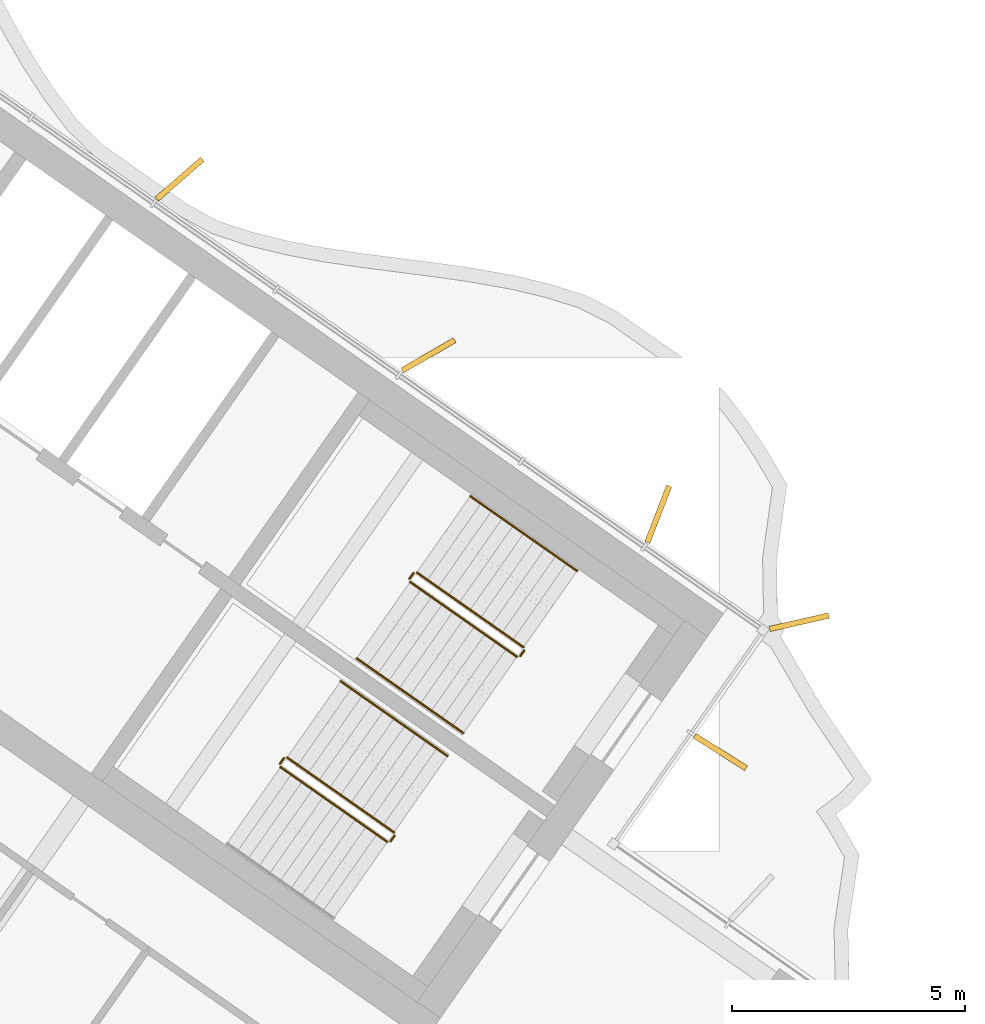
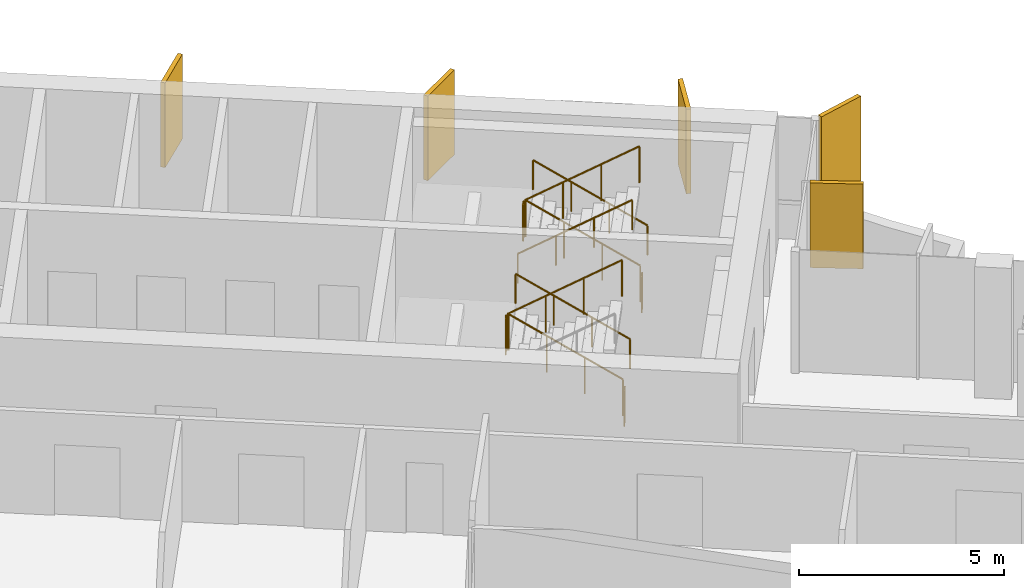
# One storey, part 17 of 18: 11 railings, 5 shading devices.
"""IFC4 building model written with IfcOpenShell, lengths in metres."""

import ifcopenshell
import ifcopenshell.guid

model = None  # the IFC model being written
_history = None  # IfcOwnerHistory: only IFC2X3 demands one
_inside = {}  # id of a spatial element -> (the spatial element, [elements in it])
_under = {}  # id of a project, library or spatial element -> (it, [spatial elements below it])
_declared = {}  # id of a project -> (the project, [libraries it declares])
_typed = {}  # id of a type object -> (the type object, [elements of that type])
_made_of = {}  # id of a material, layer set ... -> (it, [elements and type objects made of it])


def new_model(schema):
    """Start an empty IFC model of exactly this schema.

    Asked for "IFC4X3", IfcOpenShell would pick the latest addendum, in which some entities
    have other attributes; the version numbers below select the first issue.
    IFC2X3 requires an IfcOwnerHistory on every rooted entity: one is made here for all.
    """
    global model, _history
    if schema == "IFC4X3":
        model = ifcopenshell.file(schema_version=(4, 3, 0, 0))
    else:
        model = ifcopenshell.file(schema=schema)
    _inside.clear()
    _under.clear()
    _declared.clear()
    _typed.clear()
    _made_of.clear()
    _history = None
    if model.schema == "IFC2X3":
        org = make("IfcOrganization", Name="unknown")
        user = make(
            "IfcPersonAndOrganization",
            ThePerson=make("IfcPerson", FamilyName="unknown"),
            TheOrganization=org,
        )
        app = make(
            "IfcApplication",
            ApplicationDeveloper=org,
            Version="unknown",
            ApplicationFullName="unknown",
            ApplicationIdentifier="unknown",
        )
        _history = make(
            "IfcOwnerHistory",
            OwningUser=user,
            OwningApplication=app,
            ChangeAction="ADDED",
            CreationDate=0,
        )
    return model


def make(cls, **values):
    """One entity of the class cls with the attributes given. An attribute that is None is left unset."""
    return model.create_entity(
        cls, **{name: value for name, value in values.items() if value is not None}
    )


def rooted(cls, **values):
    """An entity with a GlobalId (a new one), such as an element, a storey or a relation."""
    return make(cls, GlobalId=ifcopenshell.guid.new(), OwnerHistory=_history, **values)


def si_unit(unit_type, name, prefix=None):
    """IfcSIUnit, for example si_unit("LENGTHUNIT", "METRE", prefix="MILLI")."""
    return make("IfcSIUnit", UnitType=unit_type, Prefix=prefix, Name=name)


def assignment(units):
    """IfcUnitAssignment: the units of a project."""
    return None if units is None else make("IfcUnitAssignment", Units=units)


def point(xyz):
    """IfcCartesianPoint."""
    return None if xyz is None else make("IfcCartesianPoint", Coordinates=xyz)


def direction(xyz):
    """IfcDirection."""
    return None if xyz is None else make("IfcDirection", DirectionRatios=xyz)


def frame(location, z_axis=None, x_axis=None):
    """IfcAxis2Placement3D, a coordinate frame: its origin and axes. An axis left out is left unset."""
    return make(
        "IfcAxis2Placement3D",
        Location=point(location),
        Axis=direction(z_axis),
        RefDirection=direction(x_axis),
    )


def frame_2d(location, x_axis=None):
    """IfcAxis2Placement2D, a coordinate frame in the plane: its origin and x axis."""
    return make(
        "IfcAxis2Placement2D", Location=point(location), RefDirection=direction(x_axis)
    )


def origin():
    """The frame at (0, 0, 0) with its axes left unset."""
    return frame((0.0, 0.0, 0.0))


def origin_2d():
    """The frame at (0, 0) in the plane with its x axis left unset."""
    return frame_2d((0.0, 0.0))


def place(relative_to, where):
    """IfcLocalPlacement: puts the frame where relative to a parent placement (None: the world)."""
    return make(
        "IfcLocalPlacement", PlacementRelTo=relative_to, RelativePlacement=where
    )


def context(
    kind, dimensions, precision=None, world=None, true_north=None, identifier=None
):
    """IfcGeometricRepresentationContext, for example the 3D "Model" context."""
    return make(
        "IfcGeometricRepresentationContext",
        ContextIdentifier=identifier,
        ContextType=kind,
        CoordinateSpaceDimension=dimensions,
        Precision=precision,
        WorldCoordinateSystem=world,
        TrueNorth=true_north,
    )


def subcontext(parent, identifier, kind, view, scale=None):
    """IfcGeometricRepresentationSubContext, for example "Body" below "Model"."""
    return make(
        "IfcGeometricRepresentationSubContext",
        ContextIdentifier=identifier,
        ContextType=kind,
        ParentContext=parent,
        TargetScale=scale,
        TargetView=view,
    )


def project(units=None, contexts=None):
    """IfcProject with its units and contexts."""
    return rooted(
        "IfcProject",
        Name="project",
        RepresentationContexts=contexts,
        UnitsInContext=assignment(units),
    )


def spatial(cls, under=None, at=None, **own):
    """A site, building, storey or space (cls), placed at a placement, below another one or the project."""
    s = rooted(cls, ObjectPlacement=at, **own)
    if under is not None:
        _under.setdefault(under.id(), (under, []))[1].append(s)
    return s


def profile(cls, at=None, kind="AREA", **sizes):
    """A parametric profile (cls). Its sizes go by their IFC names, for example OverallWidth=200.0."""
    return make(cls, ProfileType=kind, Position=at, **sizes)


def rectangle(**sizes):
    """IfcRectangleProfileDef."""
    return profile("IfcRectangleProfileDef", **sizes)


def circle(**sizes):
    """IfcCircleProfileDef."""
    return profile("IfcCircleProfileDef", **sizes)


def extrude(swept, where, along, depth):
    """IfcExtrudedAreaSolid: the profile swept, set in the frame where, extruded along a direction by depth."""
    return make(
        "IfcExtrudedAreaSolid",
        SweptArea=swept,
        Position=where,
        ExtrudedDirection=direction(along),
        Depth=depth,
    )


def shape(context_of_items, identifier, shape_type, items):
    """IfcShapeRepresentation: the items that make up one representation, for example the "Body"."""
    return make(
        "IfcShapeRepresentation",
        ContextOfItems=context_of_items,
        RepresentationIdentifier=identifier,
        RepresentationType=shape_type,
        Items=items,
    )


def material(Name=None, Category=None):
    """IfcMaterial."""
    return make("IfcMaterial", Name=Name, Category=Category)


def layer(
    of_material, thickness, ventilated=None, Name=None, Category=None, Priority=None
):
    """IfcMaterialLayer: one layer of a wall or slab, of a material (None: an air gap)."""
    return make(
        "IfcMaterialLayer",
        Material=of_material,
        LayerThickness=thickness,
        IsVentilated=ventilated,
        Name=Name,
        Category=Category,
        Priority=Priority,
    )


def layer_set(layers, Name=None):
    """IfcMaterialLayerSet."""
    return make("IfcMaterialLayerSet", MaterialLayers=layers, LayerSetName=Name)


def made_of(thing, what):
    """Note that an element or type object is made of a material, layer set ...; save() writes the relation."""
    if what is not None:
        _made_of.setdefault(what.id(), (what, []))[1].append(thing)
    return thing


def type_object(cls, material=None, **own):
    """A type object (cls), such as IfcWallType, which elements share."""
    return made_of(rooted(cls, **own), material)


def element(
    cls,
    number,
    at=None,
    inside=None,
    cuts=None,
    type_object=None,
    material=None,
    context=None,
    identifier="Body",
    shape_type=None,
    held_by="IfcProductDefinitionShape",
    body=None,
    shapes=None,
    **own,
):
    """One element of the class cls, such as IfcWall. Its Tag is "e" and its number.

    at: its placement. inside: the storey or other place that contains it. cuts: it is an
    opening in that element (IfcRelVoidsElement). A single representation is given by context,
    identifier, shape_type and body (its items); several are given by shapes. held_by: the class
    of the entity that holds the representations. save() writes the other relations.
    """
    e = rooted(cls, Tag="e%d" % number, ObjectPlacement=at, **own)
    if body is not None:
        shapes = [shape(context, identifier, shape_type, body)]
    if shapes is not None:
        e.Representation = make(held_by, Representations=shapes)
    if inside is not None:
        _inside.setdefault(inside.id(), (inside, []))[1].append(e)
    if cuts is not None:
        rooted(
            "IfcRelVoidsElement", RelatingBuildingElement=cuts, RelatedOpeningElement=e
        )
    if type_object is not None:
        _typed.setdefault(type_object.id(), (type_object, []))[1].append(e)
    return made_of(e, material)


def aggregate(whole, parts):
    """IfcRelAggregates: a whole, such as a stair, and the parts it consists of."""
    return rooted("IfcRelAggregates", RelatingObject=whole, RelatedObjects=parts)


def save(model, path):
    """Write the relations noted so far, then the file.

    IfcRelAggregates (storeys below a building ...), IfcRelContainedInSpatialStructure (elements
    in a storey), IfcRelDefinesByType, IfcRelAssociatesMaterial and IfcRelDeclares: one each for
    every whole, place, type object, material and project.
    """
    for whole, parts in _under.values():
        aggregate(whole, parts)
    for where, things in _inside.values():
        rooted(
            "IfcRelContainedInSpatialStructure",
            RelatedElements=things,
            RelatingStructure=where,
        )
    for kind, things in _typed.values():
        rooted("IfcRelDefinesByType", RelatedObjects=things, RelatingType=kind)
    for what, things in _made_of.values():
        rooted("IfcRelAssociatesMaterial", RelatedObjects=things, RelatingMaterial=what)
    for by, libraries in _declared.values():
        rooted("IfcRelDeclares", RelatingContext=by, RelatedDefinitions=libraries)
    model.write(path)


model = new_model("IFC4")

# Units and contexts
model_context = context("Model", 3, precision=1e-05, world=origin(), true_north=direction((0.0, 1.0)))
body_context = subcontext(model_context, "Body", "Model", "MODEL_VIEW")
ifc_project = project(units=[si_unit("LENGTHUNIT", "METRE"), si_unit("AREAUNIT", "SQUARE_METRE"), si_unit("VOLUMEUNIT", "CUBIC_METRE"), si_unit("PLANEANGLEUNIT", "RADIAN"), si_unit("MASSUNIT", "GRAM", prefix="KILO")], contexts=[model_context])

# Site, building, storey
site_placement = place(None, origin())
site = spatial("IfcSite", under=ifc_project, at=site_placement, CompositionType="ELEMENT")
building_placement = place(site_placement, origin())
building = spatial("IfcBuilding", under=site, at=building_placement, Name="Tel Ilan Convention Tower", CompositionType="ELEMENT")
storey_placement = place(building_placement, frame((0.0, 0.0, 264.39990234375)))
storey = spatial("IfcBuildingStorey", under=building, at=storey_placement, Name="L62", CompositionType="ELEMENT", Elevation=264.39990234375)

# Shading devices
ifc_material_1 = material(Name="Aluminium, bronze anodised", Category="aluminium")
ifc_layer = layer(ifc_material_1, 0.1201171875)
ifc_layer_set = layer_set([ifc_layer], Name="FIN BRONZE 1300x120")
shading_device_type = type_object("IfcShadingDeviceType", Name="FIN BRONZE 1300x120", PredefinedType="USERDEFINED", material=ifc_layer_set)
for number, where, z_axis, x_axis, name in (
    (1, (27.904541015625, -10.1005859375, 1.10009765625), (0.0, 0.0, 1.0), (0.845986425922, -0.533204432798, 0.0), "FIN"),
    (2, (29.594970703125, -7.31494140625, 1.10009765625), (0.0, 0.0, 1.0), (0.975235208752, 0.221170268371, 0.0), "FIN"),
    (3, (26.568359375, -4.997802734375, 1.10009765625), (0.0, 0.0, 1.0), (0.360177724803, 0.932883704733, 0.0), "FIN"),
    (4, (21.63818359375, -1.58349609375, 1.10009765625), (0.0, 0.0, 1.0), (0.866025403784, 0.5, 0.0), "FIN"),
    (5, (16.29345703125, 2.196533203125, 1.10009765625), (0.0, 0.0, 1.0), (0.753435896329, 0.657521368568, 0.0), "FIN"),
):
    element("IfcShadingDevice", number, at=place(storey_placement, frame(where, z_axis=z_axis, x_axis=x_axis)), inside=storey, type_object=shading_device_type, Name=name, ObjectType="FIN", PredefinedType="USERDEFINED", context=body_context, shape_type="SweptSolid", body=[
        extrude(rectangle(XDim=1.300048828125, YDim=0.1201171875, at=origin_2d()), origin(), (0.0, 0.0, 1.0), 2.52001953125),
    ])

# Railings
ifc_material_2 = material(Name="Stainless Steel Grade 316", Category="steel")
railing_type_1 = type_object("IfcRailingType", Name="Stainless Steel Stair Guard 1100 mm", PredefinedType="GUARDRAIL", material=ifc_material_2)
railing_1_placement = place(storey_placement, frame((23.6787109375, -7.8515625, 0.177490234375)))
element("IfcRailing", 6, at=railing_1_placement, inside=storey, type_object=railing_type_1, Name="L62 S3 stair guard 1", PredefinedType="GUARDRAIL", context=body_context, shape_type="SweptSolid", body=[
    extrude(circle(Radius=0.02392578125, at=origin_2d()), frame((0.0, 0.0, 1.076171875), z_axis=(-0.692084706163, 0.484621375041, 0.534940073605), x_axis=(-0.573591086599, -0.819141785879, 0.0)), (0.0, 0.0, 1.0), 3.313720703125),
    extrude(circle(Radius=0.02099609375, at=origin_2d()), origin(), (0.0, 0.0, 1.0), 1.052001953125),
    extrude(circle(Radius=0.02099609375, at=origin_2d()), frame((-0.764404296875, 0.535400390625, 0.5908203125)), (0.0, 0.0, 1.0), 1.052001953125),
    extrude(circle(Radius=0.02099609375, at=origin_2d()), frame((-1.529052734375, 1.070556640625, 1.181884765625)), (0.0, 0.0, 1.0), 1.052001953125),
    extrude(circle(Radius=0.02099609375, at=origin_2d()), frame((-2.29345703125, 1.60595703125, 1.772705078125)), (0.0, 0.0, 1.0), 1.052001953125),
])
railing_2_placement = place(storey_placement, frame((21.3154296875, -6.2578125, 1.9501953125)))
element("IfcRailing", 7, at=railing_2_placement, inside=storey, type_object=railing_type_1, Name="L62 S3 stair guard 2", PredefinedType="GUARDRAIL", context=body_context, shape_type="SweptSolid", body=[
    extrude(circle(Radius=0.02392578125, at=origin_2d()), frame((0.0, 0.0, 1.076171875), z_axis=(-0.573353020881, -0.819308436089, 0.0), x_axis=(0.819308436089, -0.573353020881, 0.0)), (0.0, 0.0, 1.0), 0.14990234375),
    extrude(circle(Radius=0.02099609375, at=origin_2d()), origin(), (0.0, 0.0, 1.0), 1.052001953125),
    extrude(circle(Radius=0.02099609375, at=origin_2d()), frame((-0.0859375, -0.122802734375, 0.0)), (0.0, 0.0, 1.0), 1.052001953125),
])
railing_3_placement = place(storey_placement, frame((21.24169921875, -6.4501953125, 2.12744140625)))
element("IfcRailing", 8, at=railing_3_placement, inside=storey, type_object=railing_type_1, Name="L62 S3 stair guard 3", PredefinedType="GUARDRAIL", context=body_context, shape_type="SweptSolid", body=[
    extrude(circle(Radius=0.02392578125, at=origin_2d()), frame((0.0, 0.0, 1.076171875), z_axis=(0.692098378994, -0.484653031975, 0.534893701956), x_axis=(0.573608623498, 0.819129505664, 0.0)), (0.0, 0.0, 1.0), 3.314208984375),
    extrude(circle(Radius=0.02099609375, at=origin_2d()), origin(), (0.0, 0.0, 1.0), 1.052001953125),
    extrude(circle(Radius=0.02099609375, at=origin_2d()), frame((0.7646484375, -0.535400390625, 0.5908203125)), (0.0, 0.0, 1.0), 1.052001953125),
    extrude(circle(Radius=0.02099609375, at=origin_2d()), frame((1.529052734375, -1.07080078125, 1.181884765625)), (0.0, 0.0, 1.0), 1.052001953125),
    extrude(circle(Radius=0.02099609375, at=origin_2d()), frame((2.293701171875, -1.606201171875, 1.772705078125)), (0.0, 0.0, 1.0), 1.052001953125),
])
railing_4_placement = place(storey_placement, frame((23.691162109375, -7.921142578125, 0.0)))
element("IfcRailing", 9, at=railing_4_placement, inside=storey, type_object=railing_type_1, Name="L62 S3 stair guard 4", PredefinedType="GUARDRAIL", context=body_context, shape_type="SweptSolid", body=[
    extrude(circle(Radius=0.02392578125, at=origin_2d()), frame((0.0, 0.0, 1.076171875), z_axis=(-0.574444878118, -0.818543268254, 0.0), x_axis=(0.818543268254, -0.574444878118, 0.0)), (0.0, 0.0, 1.0), 0.150146484375),
    extrude(circle(Radius=0.02099609375, at=origin_2d()), origin(), (0.0, 0.0, 1.0), 1.052001953125),
    extrude(circle(Radius=0.02099609375, at=origin_2d()), frame((-0.086181640625, -0.122802734375, 0.0)), (0.0, 0.0, 1.0), 1.052001953125),
])
railing_5_placement = place(storey_placement, frame((20.89697265625, -11.824462890625, 0.177490234375)))
element("IfcRailing", 10, at=railing_5_placement, inside=storey, type_object=railing_type_1, Name="L62 S4 stair guard 1", PredefinedType="GUARDRAIL", context=body_context, shape_type="SweptSolid", body=[
    extrude(circle(Radius=0.02392578125, at=origin_2d()), frame((0.0, 0.0, 1.076171875), z_axis=(-0.692123088272, 0.484596665743, 0.534912798717), x_axis=(-0.573550118428, -0.819170471667, 0.0)), (0.0, 0.0, 1.0), 3.31396484375),
    extrude(circle(Radius=0.02099609375, at=origin_2d()), origin(), (0.0, 0.0, 1.0), 1.052001953125),
    extrude(circle(Radius=0.02099609375, at=origin_2d()), frame((-0.7646484375, 0.535400390625, 0.5908203125)), (0.0, 0.0, 1.0), 1.052001953125),
    extrude(circle(Radius=0.02099609375, at=origin_2d()), frame((-1.529052734375, 1.070556640625, 1.181884765625)), (0.0, 0.0, 1.0), 1.052001953125),
    extrude(circle(Radius=0.02099609375, at=origin_2d()), frame((-2.293701171875, 1.60595703125, 1.772705078125)), (0.0, 0.0, 1.0), 1.052001953125),
])
railing_6_placement = place(storey_placement, frame((18.53369140625, -10.230712890625, 1.9501953125)))
element("IfcRailing", 11, at=railing_6_placement, inside=storey, type_object=railing_type_1, Name="L62 S4 stair guard 2", PredefinedType="GUARDRAIL", context=body_context, shape_type="SweptSolid", body=[
    extrude(circle(Radius=0.02392578125, at=origin_2d()), frame((0.0, 0.0, 1.076171875), z_axis=(-0.573353020881, -0.819308436089, 0.0), x_axis=(0.819308436089, -0.573353020881, 0.0)), (0.0, 0.0, 1.0), 0.14990234375),
    extrude(circle(Radius=0.02099609375, at=origin_2d()), origin(), (0.0, 0.0, 1.0), 1.052001953125),
    extrude(circle(Radius=0.02099609375, at=origin_2d()), frame((-0.0859375, -0.122802734375, 0.0)), (0.0, 0.0, 1.0), 1.052001953125),
])
railing_7_placement = place(storey_placement, frame((18.4599609375, -10.423095703125, 2.12744140625)))
element("IfcRailing", 12, at=railing_7_placement, inside=storey, type_object=railing_type_1, Name="L62 S4 stair guard 3", PredefinedType="GUARDRAIL", context=body_context, shape_type="SweptSolid", body=[
    extrude(circle(Radius=0.02392578125, at=origin_2d()), frame((0.0, 0.0, 1.076171875), z_axis=(0.692098378994, -0.484653031975, 0.534893701956), x_axis=(0.573608623498, 0.819129505664, 0.0)), (0.0, 0.0, 1.0), 3.314208984375),
    extrude(circle(Radius=0.02099609375, at=origin_2d()), origin(), (0.0, 0.0, 1.0), 1.052001953125),
    extrude(circle(Radius=0.02099609375, at=origin_2d()), frame((0.7646484375, -0.535400390625, 0.5908203125)), (0.0, 0.0, 1.0), 1.052001953125),
    extrude(circle(Radius=0.02099609375, at=origin_2d()), frame((1.529052734375, -1.07080078125, 1.181884765625)), (0.0, 0.0, 1.0), 1.052001953125),
    extrude(circle(Radius=0.02099609375, at=origin_2d()), frame((2.293701171875, -1.606201171875, 1.772705078125)), (0.0, 0.0, 1.0), 1.052001953125),
])
railing_8_placement = place(storey_placement, frame((20.9091796875, -11.89404296875, 0.0)))
element("IfcRailing", 13, at=railing_8_placement, inside=storey, type_object=railing_type_1, Name="L62 S4 stair guard 4", PredefinedType="GUARDRAIL", context=body_context, shape_type="SweptSolid", body=[
    extrude(circle(Radius=0.02392578125, at=origin_2d()), frame((0.0, 0.0, 1.076171875), z_axis=(-0.573353020881, -0.819308436089, 0.0), x_axis=(0.819308436089, -0.573353020881, 0.0)), (0.0, 0.0, 1.0), 0.14990234375),
    extrude(circle(Radius=0.02099609375, at=origin_2d()), origin(), (0.0, 0.0, 1.0), 1.052001953125),
    extrude(circle(Radius=0.02099609375, at=origin_2d()), frame((-0.0859375, -0.122802734375, 0.0)), (0.0, 0.0, 1.0), 1.052001953125),
])
ifc_material_3 = material(Name="Stainless Steel Grade 316", Category="steel")
railing_type_2 = type_object("IfcRailingType", Name="Stainless Steel Stair Handrail 900 mm", PredefinedType="HANDRAIL", material=ifc_material_3)
railing_9_placement = place(storey_placement, frame((24.825927734375, -6.213134765625, 0.177490234375)))
element("IfcRailing", 14, at=railing_9_placement, inside=storey, type_object=railing_type_2, Name="L62 S3 stair handrail 1", PredefinedType="HANDRAIL", context=body_context, shape_type="SweptSolid", body=[
    extrude(circle(Radius=0.02392578125, at=origin_2d()), frame((0.0, 0.0, 0.8759765625), z_axis=(-0.692123088272, 0.484596665743, 0.534912798717), x_axis=(-0.573550118428, -0.819170471667, 0.0)), (0.0, 0.0, 1.0), 3.31396484375),
    extrude(circle(Radius=0.02099609375, at=origin_2d()), origin(), (0.0, 0.0, 1.0), 0.851806640625),
    extrude(circle(Radius=0.02099609375, at=origin_2d()), frame((-0.7646484375, 0.535400390625, 0.5908203125)), (0.0, 0.0, 1.0), 0.851806640625),
    extrude(circle(Radius=0.02099609375, at=origin_2d()), frame((-1.529052734375, 1.070556640625, 1.181884765625)), (0.0, 0.0, 1.0), 0.851806640625),
    extrude(circle(Radius=0.02099609375, at=origin_2d()), frame((-2.293701171875, 1.60595703125, 1.772705078125)), (0.0, 0.0, 1.0), 0.851806640625),
])
railing_10_placement = place(storey_placement, frame((20.0947265625, -8.088623046875, 2.12744140625)))
element("IfcRailing", 15, at=railing_10_placement, inside=storey, type_object=railing_type_2, Name="L62 S3 stair handrail 2", PredefinedType="HANDRAIL", context=body_context, shape_type="SweptSolid", body=[
    extrude(circle(Radius=0.02392578125, at=origin_2d()), frame((0.0, 0.0, 0.8759765625), z_axis=(0.692084706163, -0.484621375041, 0.534940073605), x_axis=(0.573591086599, 0.819141785879, 0.0)), (0.0, 0.0, 1.0), 3.313720703125),
    extrude(circle(Radius=0.02099609375, at=origin_2d()), origin(), (0.0, 0.0, 1.0), 0.851806640625),
    extrude(circle(Radius=0.02099609375, at=origin_2d()), frame((0.764404296875, -0.535400390625, 0.5908203125)), (0.0, 0.0, 1.0), 0.851806640625),
    extrude(circle(Radius=0.02099609375, at=origin_2d()), frame((1.529052734375, -1.070556640625, 1.181884765625)), (0.0, 0.0, 1.0), 0.851806640625),
    extrude(circle(Radius=0.02099609375, at=origin_2d()), frame((2.29345703125, -1.60595703125, 1.772705078125)), (0.0, 0.0, 1.0), 0.851806640625),
])
railing_11_placement = place(storey_placement, frame((22.044189453125, -10.18603515625, 0.177490234375)))
element("IfcRailing", 16, at=railing_11_placement, inside=storey, type_object=railing_type_2, Name="L62 S4 stair handrail 1", PredefinedType="HANDRAIL", context=body_context, shape_type="SweptSolid", body=[
    extrude(circle(Radius=0.02392578125, at=origin_2d()), frame((0.0, 0.0, 0.8759765625), z_axis=(-0.692123088272, 0.484596665743, 0.534912798717), x_axis=(-0.573550118428, -0.819170471667, 0.0)), (0.0, 0.0, 1.0), 3.31396484375),
    extrude(circle(Radius=0.02099609375, at=origin_2d()), origin(), (0.0, 0.0, 1.0), 0.851806640625),
    extrude(circle(Radius=0.02099609375, at=origin_2d()), frame((-0.7646484375, 0.535400390625, 0.5908203125)), (0.0, 0.0, 1.0), 0.851806640625),
    extrude(circle(Radius=0.02099609375, at=origin_2d()), frame((-1.529052734375, 1.070556640625, 1.181884765625)), (0.0, 0.0, 1.0), 0.851806640625),
    extrude(circle(Radius=0.02099609375, at=origin_2d()), frame((-2.293701171875, 1.60595703125, 1.772705078125)), (0.0, 0.0, 1.0), 0.851806640625),
])

save(model, "model.ifc")
